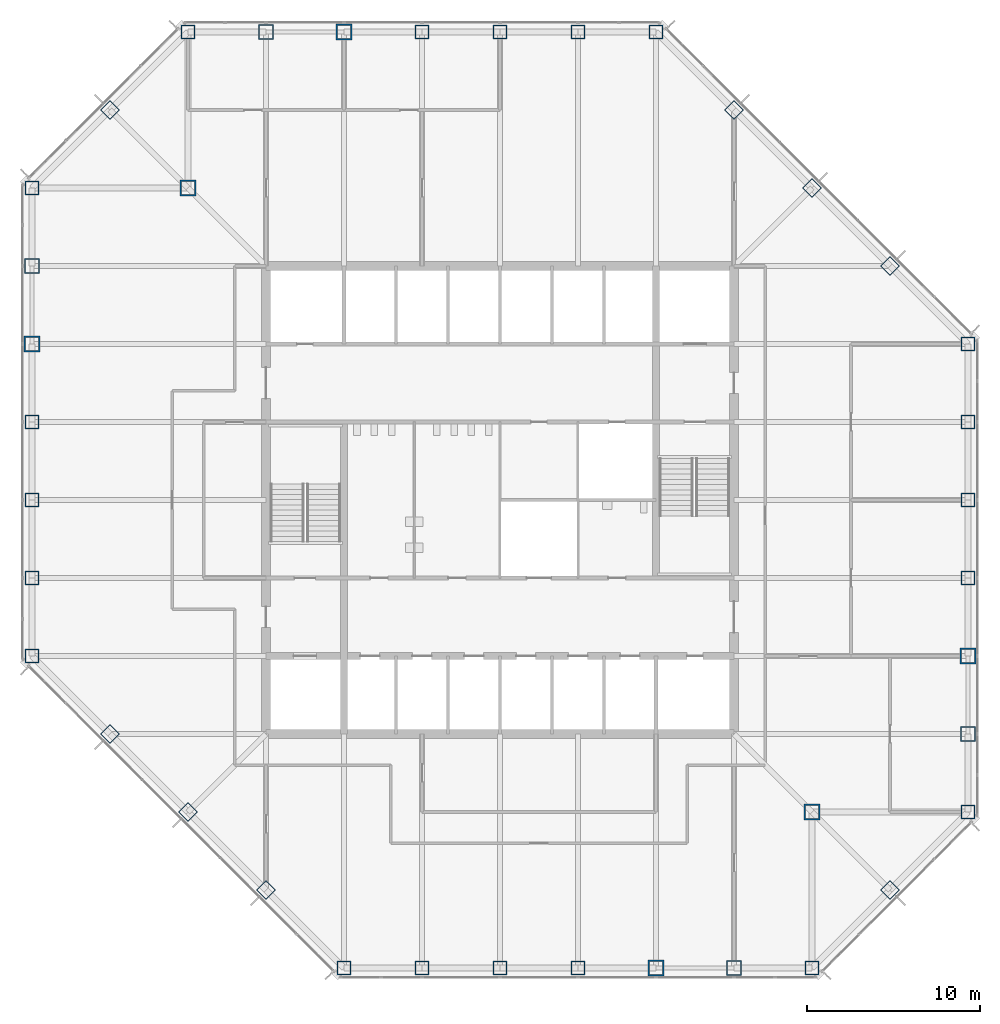
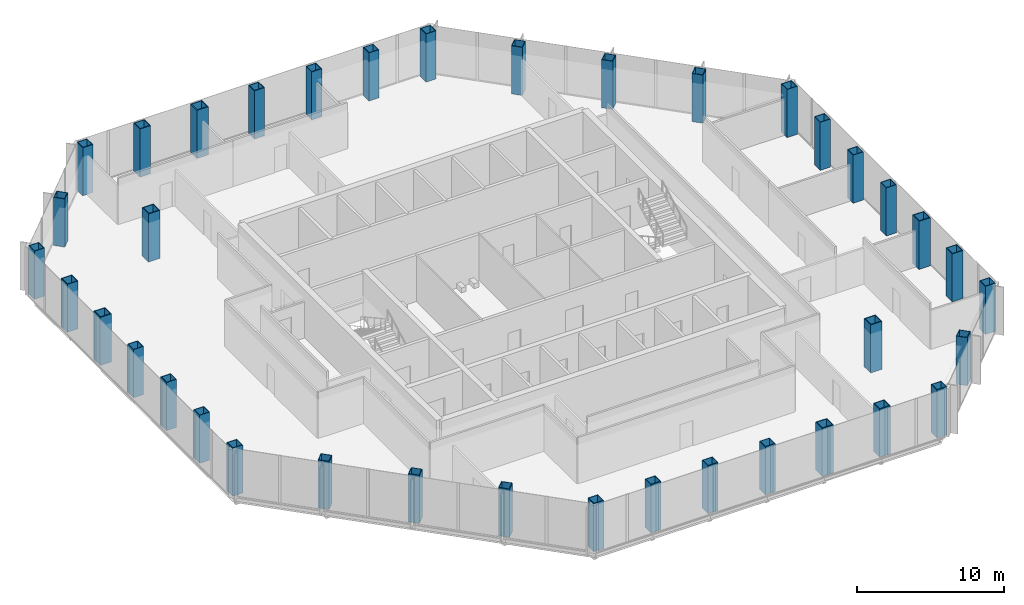
# One storey, part 1 of 12: 38 columns.
"""IFC4 building model written with IfcOpenShell, lengths in metres."""

from ifc_helpers import new_model, si_unit, direction, frame, origin, origin_2d, place, context, subcontext, project, spatial, hollow_rectangle, extrude, material, material_profile, profile_set, type_object, element, save


model = new_model("IFC4")

# Units and contexts
model_context = context("Model", 3, precision=1e-05, world=origin(), true_north=direction((0.0, 1.0)))
body_context = subcontext(model_context, "Body", "Model", "MODEL_VIEW")
ifc_project = project(units=[si_unit("LENGTHUNIT", "METRE"), si_unit("AREAUNIT", "SQUARE_METRE"), si_unit("VOLUMEUNIT", "CUBIC_METRE"), si_unit("PLANEANGLEUNIT", "RADIAN"), si_unit("MASSUNIT", "GRAM", prefix="KILO")], contexts=[model_context])

# Site, building, storey
site_placement = place(None, origin())
site = spatial("IfcSite", under=ifc_project, at=site_placement, CompositionType="ELEMENT")
building_placement = place(site_placement, origin())
building = spatial("IfcBuilding", under=site, at=building_placement, Name="Corais Broadcast Tower", CompositionType="ELEMENT")
storey_placement = place(building_placement, frame((0.0, 0.0, 115.60009765625)))
storey = spatial("IfcBuildingStorey", under=building, at=storey_placement, Name="L25", CompositionType="ELEMENT", Elevation=115.60009765625)

# Columns
ifc_material_1 = material(Name="Steel ASTM A572 Grade 50", Category="steel")
ifc_material_profile_1 = material_profile(ifc_material_1, hollow_rectangle(XDim=0.800048828125, YDim=0.800048828125, WallThickness=0.044921875, at=origin_2d()), Name="BOX 800x800x45")
ifc_profile_set_1 = profile_set([ifc_material_profile_1], Name="Steel ASTM A572 Grade 50")
column_type_1 = type_object("IfcColumnType", Name="Column BOX 800x800x45", PredefinedType="COLUMN", material=ifc_profile_set_1)
for number, where, z_axis, x_axis, name in (
    (1, (18.0, 0.0, 0.0), (0.0, 0.0, 1.0), (1.0, 0.0, 0.0), "C3 A/7"),
    (2, (22.5, 0.0, 0.0), (0.0, 0.0, 1.0), (1.0, 0.0, 0.0), "C3 A/8"),
    (3, (27.0, 0.0, 0.0), (0.0, 0.0, 1.0), (1.0, 0.0, 0.0), "C3 A/9"),
    (4, (31.5, 0.0, 0.0), (0.0, 0.0, 1.0), (1.0, 0.0, 0.0), "C3 A/10"),
    (5, (45.0, 0.0, 0.0), (0.0, 0.0, 1.0), (1.0, 0.0, 0.0), "C3 A/13"),
    (6, (54.0, 9.0, 0.0), (0.0, 0.0, 1.0), (1.0, 0.0, 0.0), "C3 C/15"),
    (7, (54.0, 22.5, 0.0), (0.0, 0.0, 1.0), (1.0, 0.0, 0.0), "C3 F/15"),
    (8, (54.0, 27.0, 0.0), (0.0, 0.0, 1.0), (1.0, 0.0, 0.0), "C3 G/15"),
    (9, (54.0, 31.5, 0.0), (0.0, 0.0, 1.0), (1.0, 0.0, 0.0), "C3 H/15"),
    (10, (54.0, 36.0, 0.0), (0.0, 0.0, 1.0), (1.0, 0.0, 0.0), "C3 J/15"),
    (11, (36.0, 54.0, 0.0), (0.0, 0.0, 1.0), (1.0, 0.0, 0.0), "C3 N/11"),
    (12, (31.5, 54.0, 0.0), (0.0, 0.0, 1.0), (1.0, 0.0, 0.0), "C3 N/10"),
    (13, (27.0, 54.0, 0.0), (0.0, 0.0, 1.0), (1.0, 0.0, 0.0), "C3 N/9"),
    (14, (22.5, 54.0, 0.0), (0.0, 0.0, 1.0), (1.0, 0.0, 0.0), "C3 N/8"),
    (15, (9.0, 54.0, 0.0), (0.0, 0.0, 1.0), (1.0, 0.0, 0.0), "C3 N/5"),
    (16, (0.0, 45.0, 0.0), (0.0, 0.0, 1.0), (1.0, 0.0, 0.0), "C3 L/3"),
    (17, (0.0, 31.5, 0.0), (0.0, 0.0, 1.0), (1.0, 0.0, 0.0), "C3 H/3"),
    (18, (0.0, 27.0, 0.0), (0.0, 0.0, 1.0), (1.0, 0.0, 0.0), "C3 G/3"),
    (19, (0.0, 22.5, 0.0), (0.0, 0.0, 1.0), (1.0, 0.0, 0.0), "C3 F/3"),
    (20, (0.0, 18.0, 0.0), (0.0, 0.0, 1.0), (1.0, 0.0, 0.0), "C3 E/3"),
    (21, (13.5, 4.5, 0.0), (0.0, 0.0, 1.0), (0.707106781187, 0.707106781187, 0.0), "C3 B/6"),
    (22, (9.0, 9.0, 0.0), (0.0, 0.0, 1.0), (0.707106781187, 0.707106781187, 0.0), "C3 C/5"),
    (23, (4.5, 13.5, 0.0), (0.0, 0.0, 1.0), (0.707106781187, 0.707106781187, 0.0), "C3 D/4"),
    (24, (49.5, 4.5, 0.0), (0.0, 0.0, 1.0), (0.707106781187, 0.707106781187, 0.0), "C3 B/14"),
    (25, (49.5, 40.5, 0.0), (0.0, 0.0, 1.0), (0.707106781187, 0.707106781187, 0.0), "C3 K/14"),
    (26, (45.0, 45.0, 0.0), (0.0, 0.0, 1.0), (0.707106781187, 0.707106781187, 0.0), "C3 L/13"),
    (27, (40.5, 49.5, 0.0), (0.0, 0.0, 1.0), (0.707106781187, 0.707106781187, 0.0), "C3 M/12"),
    (28, (4.5, 49.5, 0.0), (0.0, 0.0, 1.0), (0.707106781187, 0.707106781187, 0.0), "C3 M/4"),
):
    element("IfcColumn", number, at=place(storey_placement, frame(where, z_axis=z_axis, x_axis=x_axis)), inside=storey, type_object=column_type_1, Name=name, PredefinedType="COLUMN", context=body_context, shape_type="SweptSolid", body=[
        extrude(hollow_rectangle(XDim=0.800048828125, YDim=0.800048828125, WallThickness=0.044921875, at=origin_2d()), origin(), (0.0, 0.0, 1.0), 4.0),
    ])
ifc_material_2 = material(Name="Steel ASTM A572 Grade 50", Category="steel")
ifc_material_profile_2 = material_profile(ifc_material_2, hollow_rectangle(XDim=0.85009765625, YDim=0.85009765625, WallThickness=0.050048828125, at=origin_2d()), Name="BOX 850x850x50")
ifc_profile_set_2 = profile_set([ifc_material_profile_2], Name="Steel ASTM A572 Grade 50")
column_type_2 = type_object("IfcColumnType", Name="Column BOX 850x850x50", PredefinedType="COLUMN", material=ifc_profile_set_2)
for number, where, z_axis, x_axis, name in (
    (29, (40.5, 0.0, 0.0), (0.0, 0.0, 1.0), (1.0, 0.0, 0.0), "C1 A/12"),
    (30, (54.0, 13.5, 0.0), (0.0, 0.0, 1.0), (1.0, 0.0, 0.0), "C1 D/15"),
    (31, (13.5, 54.0, 0.0), (0.0, 0.0, 1.0), (1.0, 0.0, 0.0), "C1 N/6"),
    (32, (0.0, 40.5, 0.0), (0.0, 0.0, 1.0), (1.0, 0.0, 0.0), "C1 K/3"),
):
    element("IfcColumn", number, at=place(storey_placement, frame(where, z_axis=z_axis, x_axis=x_axis)), inside=storey, type_object=column_type_2, Name=name, PredefinedType="COLUMN", context=body_context, shape_type="SweptSolid", body=[
        extrude(hollow_rectangle(XDim=0.85009765625, YDim=0.85009765625, WallThickness=0.050048828125, at=origin_2d()), origin(), (0.0, 0.0, 1.0), 4.0),
    ])
ifc_material_3 = material(Name="Steel ASTM A572 Grade 50", Category="steel")
ifc_material_profile_3 = material_profile(ifc_material_3, hollow_rectangle(XDim=0.89990234375, YDim=0.89990234375, WallThickness=0.06298828125, at=origin_2d()), Name="BOX 900x900x63")
ifc_profile_set_3 = profile_set([ifc_material_profile_3], Name="Steel ASTM A572 Grade 50")
column_type_3 = type_object("IfcColumnType", Name="Column BOX 900x900x63", PredefinedType="COLUMN", material=ifc_profile_set_3)
for number, where, z_axis, x_axis, name in (
    (33, (36.0, 0.0, 0.0), (0.0, 0.0, 1.0), (1.0, 0.0, 0.0), "C2 A/11"),
    (34, (54.0, 18.0, 0.0), (0.0, 0.0, 1.0), (1.0, 0.0, 0.0), "C2 E/15"),
    (35, (18.0, 54.0, 0.0), (0.0, 0.0, 1.0), (1.0, 0.0, 0.0), "C2 N/7"),
    (36, (0.0, 36.0, 0.0), (0.0, 0.0, 1.0), (1.0, 0.0, 0.0), "C2 J/3"),
    (37, (45.0, 9.0, 0.0), (0.0, 0.0, 1.0), (1.0, 0.0, 0.0), "C2 C/13"),
    (38, (9.0, 45.0, 0.0), (0.0, 0.0, 1.0), (1.0, 0.0, 0.0), "C2 L/5"),
):
    element("IfcColumn", number, at=place(storey_placement, frame(where, z_axis=z_axis, x_axis=x_axis)), inside=storey, type_object=column_type_3, Name=name, PredefinedType="COLUMN", context=body_context, shape_type="SweptSolid", body=[
        extrude(hollow_rectangle(XDim=0.89990234375, YDim=0.89990234375, WallThickness=0.06298828125, at=origin_2d()), origin(), (0.0, 0.0, 1.0), 4.0),
    ])

save(model, "model.ifc")
